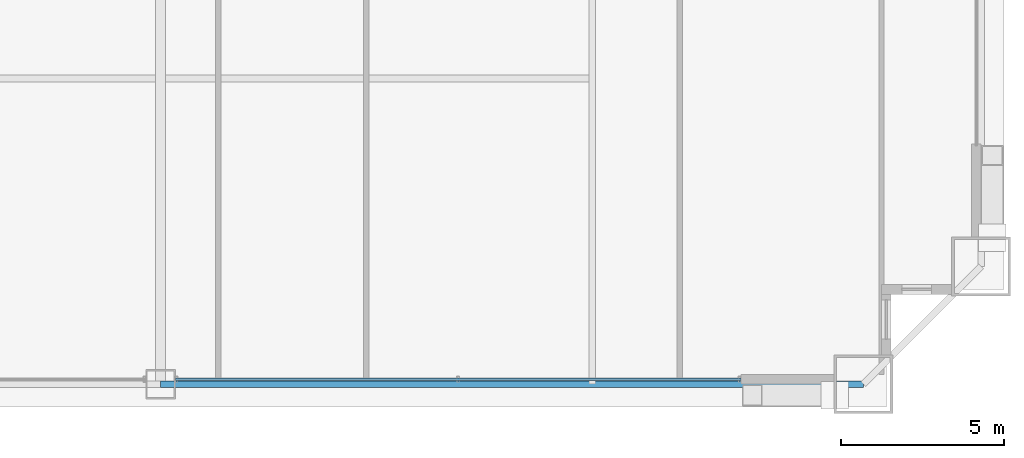
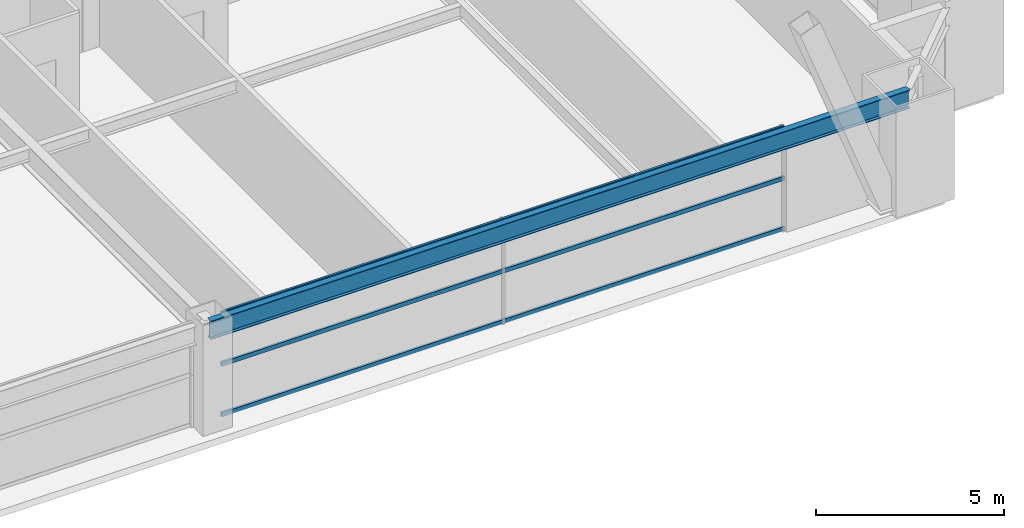
# One storey, part 14 of 43: 3 members, 1 beam, 1 element without a shape of its own.
"""IFC4 building model written with IfcOpenShell, lengths in metres."""

from ifc_helpers import new_model, si_unit, direction, frame, origin, origin_2d, place, context, subcontext, project, spatial, hollow_rectangle, i_section, extrude, source, transform, mapped, material, layer, layer_set, material_profile, profile_set, type_object, element, aggregate, save


model = new_model("IFC4")

# Units and contexts
model_context = context("Model", 3, precision=1e-05, world=origin(), true_north=direction((0.0, 1.0)))
body_context = subcontext(model_context, "Body", "Model", "MODEL_VIEW")
ifc_project = project(units=[si_unit("LENGTHUNIT", "METRE"), si_unit("AREAUNIT", "SQUARE_METRE"), si_unit("VOLUMEUNIT", "CUBIC_METRE"), si_unit("PLANEANGLEUNIT", "RADIAN"), si_unit("MASSUNIT", "GRAM", prefix="KILO"), si_unit("THERMODYNAMICTEMPERATUREUNIT", "KELVIN"), si_unit("POWERUNIT", "WATT")], contexts=[model_context])

# Site, building, storey
site_placement = place(None, origin())
site = spatial("IfcSite", under=ifc_project, at=site_placement, CompositionType="ELEMENT")
building_placement = place(site_placement, origin())
building = spatial("IfcBuilding", under=site, at=building_placement, Name="Yuzanri Waterfront Tower", CompositionType="ELEMENT")
storey_placement = place(building_placement, frame((0.0, 0.0, 67.60009765625)))
storey = spatial("IfcBuildingStorey", under=building, at=storey_placement, Name="L17", CompositionType="ELEMENT", Elevation=67.60009765625)

# Beam
ifc_material_1 = material(Name="Steel Q355B", Category="steel")
ifc_material_profile_1 = material_profile(ifc_material_1, i_section(OverallWidth=0.199951171875, OverallDepth=0.60009765625, WebThickness=0.010986328125, FlangeThickness=0.01708984375, at=origin_2d()), Name="HN 600x200x11x17")
ifc_profile_set_1 = profile_set([ifc_material_profile_1], Name="Steel Q355B")
beam_type = type_object("IfcBeamType", Name="Perimeter Spandrel Q355B HN 600x200", PredefinedType="SPANDREL", material=ifc_profile_set_1)
shared_shape_1 = source(origin(), body_context, "Body", "SweptSolid", [
    extrude(i_section(OverallWidth=0.199951171875, OverallDepth=0.60009765625, WebThickness=0.010986328125, FlangeThickness=0.01708984375, at=origin_2d()), origin(), (0.0, 0.0, 1.0), 21.5),
])
beam_placement = place(storey_placement, frame((37.0, 0.699951171875, 3.079833984375), z_axis=(1.0, 0.0, 0.0), x_axis=(0.0, 1.0, 0.0)))
element("IfcBeam", 1, at=beam_placement, inside=storey, type_object=beam_type, Name="L17 Perimeter Spandrel S2-S3", PredefinedType="SPANDREL", context=body_context, shape_type="MappedRepresentation", body=[
    mapped(shared_shape_1, transform((0.0, 0.0, 0.0), scale=1.0)),
])

# Curtain wall, members
ifc_material_2 = material(Name="Anodized Architectural Bronze", Category="metal")
ifc_layer = layer(ifc_material_2, 0.159912109375)
ifc_layer_set = layer_set([ifc_layer], Name="Anodized Architectural Bronze")
curtain_wall_type = type_object("IfcCurtainWallType", Name="Anodized Bronze Hotel Lower-Tier Recessed Unitized Curtain Wall 8100", PredefinedType="NOTDEFINED", material=ifc_layer_set)
curtain_wall_placement = place(storey_placement, origin())
curtain_wall = element("IfcCurtainWall", 2, at=curtain_wall_placement, inside=storey, type_object=curtain_wall_type, Name="L17 Curtain Wall CW-L17-SR", PredefinedType="NOTDEFINED")
ifc_material_3 = material(Name="Anodized Architectural Bronze", Category="metal")
ifc_material_profile_2 = material_profile(ifc_material_3, hollow_rectangle(XDim=0.070068359375, YDim=0.135009765625, WallThickness=0.00341796875, at=origin_2d()), Name="CWT 70x135")
ifc_profile_set_2 = profile_set([ifc_material_profile_2], Name="Anodized Architectural Bronze")
member_type = type_object("IfcMemberType", Name="Anodized Bronze Standard Curtain-Wall Transom 70x135", PredefinedType="USERDEFINED", material=ifc_profile_set_2)
shared_shape_2 = source(origin(), body_context, "Body", "SweptSolid", [
    extrude(hollow_rectangle(XDim=0.070068359375, YDim=0.135009765625, WallThickness=0.00341796875, at=origin_2d()), origin(), (0.0, 0.0, 1.0), 17.300048828125),
])
member_1_placement = place(storey_placement, frame((37.449951171875, 0.85009765625, 0.0498046875), z_axis=(1.0, 0.0, 0.0), x_axis=(0.0, 1.0, 0.0)))
member_1 = element("IfcMember", 3, at=member_1_placement, type_object=member_type, Name="CW-L17-SR Transom 1", ObjectType="TRANSOM", PredefinedType="USERDEFINED", context=body_context, shape_type="MappedRepresentation", body=[
    mapped(shared_shape_2, transform((0.0, 0.0, 0.0), scale=1.0)),
])
member_2_placement = place(storey_placement, frame((37.449951171875, 0.85009765625, 1.68994140625), z_axis=(1.0, 0.0, 0.0), x_axis=(0.0, 1.0, 0.0)))
member_2 = element("IfcMember", 4, at=member_2_placement, type_object=member_type, Name="CW-L17-SR Transom 2", ObjectType="TRANSOM", PredefinedType="USERDEFINED", context=body_context, shape_type="MappedRepresentation", body=[
    mapped(shared_shape_2, transform((0.0, 0.0, 0.0), scale=1.0)),
])
member_3_placement = place(storey_placement, frame((37.449951171875, 0.85009765625, 3.329833984375), z_axis=(1.0, 0.0, 0.0), x_axis=(0.0, 1.0, 0.0)))
member_3 = element("IfcMember", 5, at=member_3_placement, type_object=member_type, Name="CW-L17-SR Transom 3", ObjectType="TRANSOM", PredefinedType="USERDEFINED", context=body_context, shape_type="MappedRepresentation", body=[
    mapped(shared_shape_2, transform((0.0, 0.0, 0.0), scale=1.0)),
])
aggregate(curtain_wall, [member_1, member_2, member_3])

save(model, "model.ifc")
